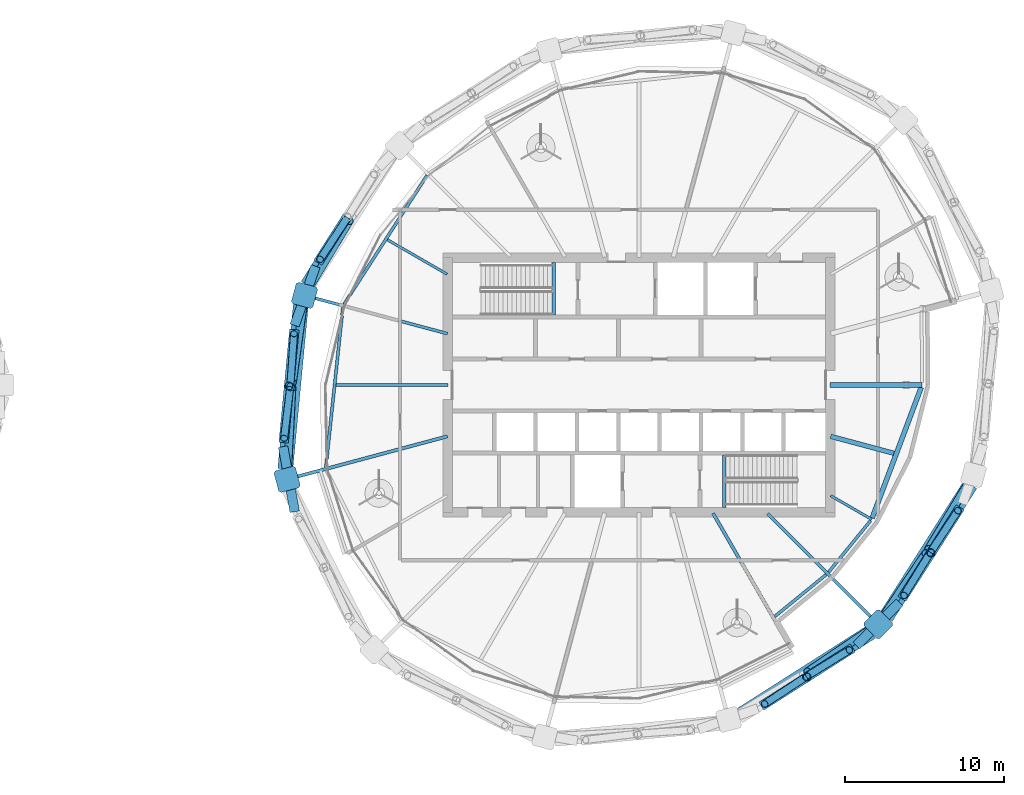
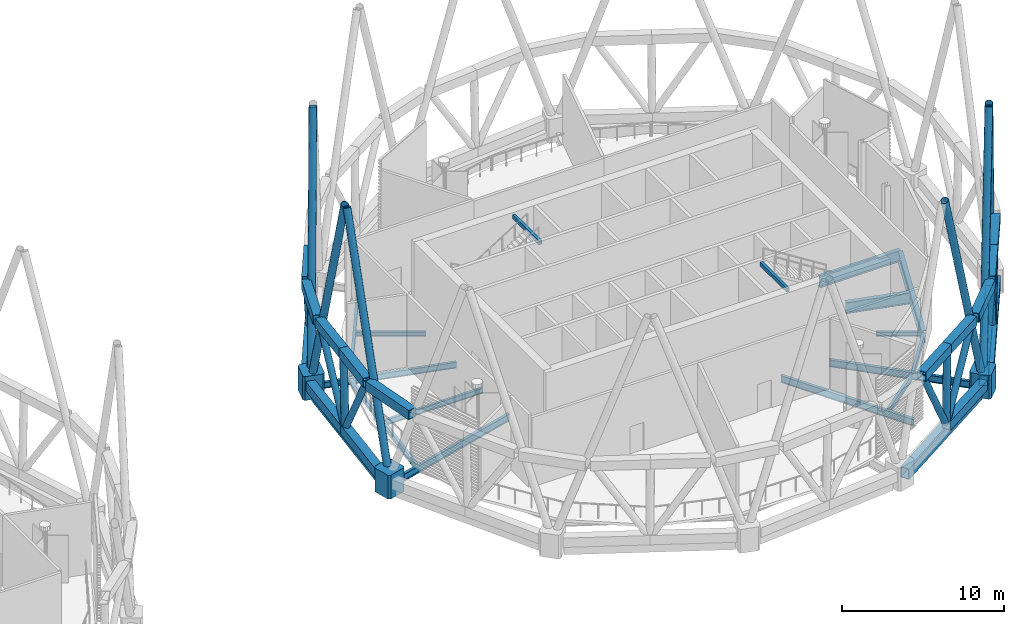
# One storey, part 7 of 22: 35 members, 19 beams.
"""IFC4 building model written with IfcOpenShell, lengths in metres."""

import ifcopenshell
import ifcopenshell.guid

model = None  # the IFC model being written
_history = None  # IfcOwnerHistory: only IFC2X3 demands one
_inside = {}  # id of a spatial element -> (the spatial element, [elements in it])
_under = {}  # id of a project, library or spatial element -> (it, [spatial elements below it])
_declared = {}  # id of a project -> (the project, [libraries it declares])
_typed = {}  # id of a type object -> (the type object, [elements of that type])
_made_of = {}  # id of a material, layer set ... -> (it, [elements and type objects made of it])


def new_model(schema):
    """Start an empty IFC model of exactly this schema.

    Asked for "IFC4X3", IfcOpenShell would pick the latest addendum, in which some entities
    have other attributes; the version numbers below select the first issue.
    IFC2X3 requires an IfcOwnerHistory on every rooted entity: one is made here for all.
    """
    global model, _history
    if schema == "IFC4X3":
        model = ifcopenshell.file(schema_version=(4, 3, 0, 0))
    else:
        model = ifcopenshell.file(schema=schema)
    _inside.clear()
    _under.clear()
    _declared.clear()
    _typed.clear()
    _made_of.clear()
    _history = None
    if model.schema == "IFC2X3":
        org = make("IfcOrganization", Name="unknown")
        user = make(
            "IfcPersonAndOrganization",
            ThePerson=make("IfcPerson", FamilyName="unknown"),
            TheOrganization=org,
        )
        app = make(
            "IfcApplication",
            ApplicationDeveloper=org,
            Version="unknown",
            ApplicationFullName="unknown",
            ApplicationIdentifier="unknown",
        )
        _history = make(
            "IfcOwnerHistory",
            OwningUser=user,
            OwningApplication=app,
            ChangeAction="ADDED",
            CreationDate=0,
        )
    return model


def make(cls, **values):
    """One entity of the class cls with the attributes given. An attribute that is None is left unset."""
    return model.create_entity(
        cls, **{name: value for name, value in values.items() if value is not None}
    )


def rooted(cls, **values):
    """An entity with a GlobalId (a new one), such as an element, a storey or a relation."""
    return make(cls, GlobalId=ifcopenshell.guid.new(), OwnerHistory=_history, **values)


def si_unit(unit_type, name, prefix=None):
    """IfcSIUnit, for example si_unit("LENGTHUNIT", "METRE", prefix="MILLI")."""
    return make("IfcSIUnit", UnitType=unit_type, Prefix=prefix, Name=name)


def assignment(units):
    """IfcUnitAssignment: the units of a project."""
    return None if units is None else make("IfcUnitAssignment", Units=units)


def point(xyz):
    """IfcCartesianPoint."""
    return None if xyz is None else make("IfcCartesianPoint", Coordinates=xyz)


def direction(xyz):
    """IfcDirection."""
    return None if xyz is None else make("IfcDirection", DirectionRatios=xyz)


def frame(location, z_axis=None, x_axis=None):
    """IfcAxis2Placement3D, a coordinate frame: its origin and axes. An axis left out is left unset."""
    return make(
        "IfcAxis2Placement3D",
        Location=point(location),
        Axis=direction(z_axis),
        RefDirection=direction(x_axis),
    )


def frame_2d(location, x_axis=None):
    """IfcAxis2Placement2D, a coordinate frame in the plane: its origin and x axis."""
    return make(
        "IfcAxis2Placement2D", Location=point(location), RefDirection=direction(x_axis)
    )


def origin():
    """The frame at (0, 0, 0) with its axes left unset."""
    return frame((0.0, 0.0, 0.0))


def origin_2d():
    """The frame at (0, 0) in the plane with its x axis left unset."""
    return frame_2d((0.0, 0.0))


def place(relative_to, where):
    """IfcLocalPlacement: puts the frame where relative to a parent placement (None: the world)."""
    return make(
        "IfcLocalPlacement", PlacementRelTo=relative_to, RelativePlacement=where
    )


def context(
    kind, dimensions, precision=None, world=None, true_north=None, identifier=None
):
    """IfcGeometricRepresentationContext, for example the 3D "Model" context."""
    return make(
        "IfcGeometricRepresentationContext",
        ContextIdentifier=identifier,
        ContextType=kind,
        CoordinateSpaceDimension=dimensions,
        Precision=precision,
        WorldCoordinateSystem=world,
        TrueNorth=true_north,
    )


def subcontext(parent, identifier, kind, view, scale=None):
    """IfcGeometricRepresentationSubContext, for example "Body" below "Model"."""
    return make(
        "IfcGeometricRepresentationSubContext",
        ContextIdentifier=identifier,
        ContextType=kind,
        ParentContext=parent,
        TargetScale=scale,
        TargetView=view,
    )


def project(units=None, contexts=None):
    """IfcProject with its units and contexts."""
    return rooted(
        "IfcProject",
        Name="project",
        RepresentationContexts=contexts,
        UnitsInContext=assignment(units),
    )


def spatial(cls, under=None, at=None, **own):
    """A site, building, storey or space (cls), placed at a placement, below another one or the project."""
    s = rooted(cls, ObjectPlacement=at, **own)
    if under is not None:
        _under.setdefault(under.id(), (under, []))[1].append(s)
    return s


def polyline(points):
    """IfcPolyline through the points."""
    return make("IfcPolyline", Points=[point(p) for p in points])


def profile(cls, at=None, kind="AREA", **sizes):
    """A parametric profile (cls). Its sizes go by their IFC names, for example OverallWidth=200.0."""
    return make(cls, ProfileType=kind, Position=at, **sizes)


def hollow_rectangle(**sizes):
    """IfcRectangleHollowProfileDef."""
    return profile("IfcRectangleHollowProfileDef", **sizes)


def hollow_circle(**sizes):
    """IfcCircleHollowProfileDef."""
    return profile("IfcCircleHollowProfileDef", **sizes)


def i_section(**sizes):
    """IfcIShapeProfileDef."""
    return profile("IfcIShapeProfileDef", **sizes)


def outline(outer, holes=None, kind="AREA"):
    """IfcArbitraryClosedProfileDef: a profile drawn as a closed curve; with holes, ...WithVoids."""
    if holes is None:
        return make("IfcArbitraryClosedProfileDef", ProfileType=kind, OuterCurve=outer)
    return make(
        "IfcArbitraryProfileDefWithVoids",
        ProfileType=kind,
        OuterCurve=outer,
        InnerCurves=holes,
    )


def extrude(swept, where, along, depth):
    """IfcExtrudedAreaSolid: the profile swept, set in the frame where, extruded along a direction by depth."""
    return make(
        "IfcExtrudedAreaSolid",
        SweptArea=swept,
        Position=where,
        ExtrudedDirection=direction(along),
        Depth=depth,
    )


def shape(context_of_items, identifier, shape_type, items):
    """IfcShapeRepresentation: the items that make up one representation, for example the "Body"."""
    return make(
        "IfcShapeRepresentation",
        ContextOfItems=context_of_items,
        RepresentationIdentifier=identifier,
        RepresentationType=shape_type,
        Items=items,
    )


def material(Name=None, Category=None):
    """IfcMaterial."""
    return make("IfcMaterial", Name=Name, Category=Category)


def material_profile(
    of_material, cross_section, Name=None, Category=None, Priority=None
):
    """IfcMaterialProfile: a cross section and its material."""
    return make(
        "IfcMaterialProfile",
        Name=Name,
        Material=of_material,
        Profile=cross_section,
        Priority=Priority,
        Category=Category,
    )


def profile_set(profiles, Name=None, composite=None):
    """IfcMaterialProfileSet."""
    return make(
        "IfcMaterialProfileSet",
        Name=Name,
        MaterialProfiles=profiles,
        CompositeProfile=composite,
    )


def made_of(thing, what):
    """Note that an element or type object is made of a material, layer set ...; save() writes the relation."""
    if what is not None:
        _made_of.setdefault(what.id(), (what, []))[1].append(thing)
    return thing


def type_object(cls, material=None, **own):
    """A type object (cls), such as IfcWallType, which elements share."""
    return made_of(rooted(cls, **own), material)


def element(
    cls,
    number,
    at=None,
    inside=None,
    cuts=None,
    type_object=None,
    material=None,
    context=None,
    identifier="Body",
    shape_type=None,
    held_by="IfcProductDefinitionShape",
    body=None,
    shapes=None,
    **own,
):
    """One element of the class cls, such as IfcWall. Its Tag is "e" and its number.

    at: its placement. inside: the storey or other place that contains it. cuts: it is an
    opening in that element (IfcRelVoidsElement). A single representation is given by context,
    identifier, shape_type and body (its items); several are given by shapes. held_by: the class
    of the entity that holds the representations. save() writes the other relations.
    """
    e = rooted(cls, Tag="e%d" % number, ObjectPlacement=at, **own)
    if body is not None:
        shapes = [shape(context, identifier, shape_type, body)]
    if shapes is not None:
        e.Representation = make(held_by, Representations=shapes)
    if inside is not None:
        _inside.setdefault(inside.id(), (inside, []))[1].append(e)
    if cuts is not None:
        rooted(
            "IfcRelVoidsElement", RelatingBuildingElement=cuts, RelatedOpeningElement=e
        )
    if type_object is not None:
        _typed.setdefault(type_object.id(), (type_object, []))[1].append(e)
    return made_of(e, material)


def aggregate(whole, parts):
    """IfcRelAggregates: a whole, such as a stair, and the parts it consists of."""
    return rooted("IfcRelAggregates", RelatingObject=whole, RelatedObjects=parts)


def save(model, path):
    """Write the relations noted so far, then the file.

    IfcRelAggregates (storeys below a building ...), IfcRelContainedInSpatialStructure (elements
    in a storey), IfcRelDefinesByType, IfcRelAssociatesMaterial and IfcRelDeclares: one each for
    every whole, place, type object, material and project.
    """
    for whole, parts in _under.values():
        aggregate(whole, parts)
    for where, things in _inside.values():
        rooted(
            "IfcRelContainedInSpatialStructure",
            RelatedElements=things,
            RelatingStructure=where,
        )
    for kind, things in _typed.values():
        rooted("IfcRelDefinesByType", RelatedObjects=things, RelatingType=kind)
    for what, things in _made_of.values():
        rooted("IfcRelAssociatesMaterial", RelatedObjects=things, RelatingMaterial=what)
    for by, libraries in _declared.values():
        rooted("IfcRelDeclares", RelatingContext=by, RelatedDefinitions=libraries)
    model.write(path)


model = new_model("IFC4")

# Units and contexts
model_context = context("Model", 3, precision=1e-05, world=origin(), true_north=direction((0.0, 1.0)))
body_context = subcontext(model_context, "Body", "Model", "MODEL_VIEW")
ifc_project = project(units=[si_unit("LENGTHUNIT", "METRE"), si_unit("AREAUNIT", "SQUARE_METRE"), si_unit("VOLUMEUNIT", "CUBIC_METRE"), si_unit("PLANEANGLEUNIT", "RADIAN"), si_unit("MASSUNIT", "GRAM", prefix="KILO")], contexts=[model_context])

# Site, building, storey
site_placement = place(None, origin())
site = spatial("IfcSite", under=ifc_project, at=site_placement, CompositionType="ELEMENT")
building_placement = place(site_placement, origin())
building = spatial("IfcBuilding", under=site, at=building_placement, Name="Rimbun Link Towers", CompositionType="ELEMENT")
storey_placement = place(building_placement, frame((0.0, 0.0, 204.5)))
storey = spatial("IfcBuildingStorey", under=building, at=storey_placement, Name="L50", CompositionType="ELEMENT", Elevation=204.5)

# Members
ifc_material_1 = material(Name="Steel S460N", Category="steel")
ifc_material_profile_1 = material_profile(ifc_material_1, hollow_rectangle(XDim=0.60009765625, YDim=0.699951171875, WallThickness=0.034912109375, at=origin_2d()), Name="Belt truss chord BOX 600x700x35")
ifc_profile_set_1 = profile_set([ifc_material_profile_1], Name="Steel S460N")
member_type_1 = type_object("IfcMemberType", Name="Belt truss chord BOX 600x700x35", PredefinedType="CHORD", material=ifc_profile_set_1)
member_1_placement = place(storey_placement, frame((11.438720703125, 7.46142578125, 6.0), z_axis=(-0.332988338346, -0.942930944728, 0.0), x_axis=(0.942930944728, -0.332988338346, 0.0)))
element("IfcMember", 1, at=member_1_placement, inside=storey, type_object=member_type_1, Name="Belt truss chord T2 L50 top 04", PredefinedType="CHORD", context=body_context, shape_type="SweptSolid", body=[
    extrude(hollow_rectangle(XDim=0.60009765625, YDim=0.699951171875, WallThickness=0.034912109375, at=origin_2d()), origin(), (0.0, 0.0, 1.0), 3.947509765625),
])
member_2_placement = place(storey_placement, frame((9.402587890625, -3.868408203125, 6.0), z_axis=(0.174925672381, -0.984581641685, 0.0), x_axis=(0.984581641685, 0.174925672381, 0.0)))
element("IfcMember", 2, at=member_2_placement, inside=storey, type_object=member_type_1, Name="Belt truss chord T2 L50 top 05", PredefinedType="CHORD", context=body_context, shape_type="SweptSolid", body=[
    extrude(hollow_rectangle(XDim=0.60009765625, YDim=0.699951171875, WallThickness=0.034912109375, at=origin_2d()), origin(), (0.0, 0.0, 1.0), 4.152099609375),
])
member_3_placement = place(storey_placement, frame((45.400634765625, -16.37060546875, 6.0), z_axis=(0.707106781187, 0.707106781187, 0.0), x_axis=(-0.707106781187, 0.707106781187, 0.0)))
element("IfcMember", 3, at=member_3_placement, inside=storey, type_object=member_type_1, Name="Belt truss chord T2 L50 top 09", PredefinedType="CHORD", context=body_context, shape_type="SweptSolid", body=[
    extrude(hollow_rectangle(XDim=0.60009765625, YDim=0.699951171875, WallThickness=0.034912109375, at=origin_2d()), origin(), (0.0, 0.0, 1.0), 3.8466796875),
])
member_4_placement = place(storey_placement, frame((13.443115234375, 10.51220703125, 0.18994140625), z_axis=(-0.537127943708, -0.843500783691, 0.0), x_axis=(0.843500783691, -0.537127943708, 0.0)))
element("IfcMember", 4, at=member_4_placement, inside=storey, type_object=member_type_1, Name="Belt truss chord T2 L50 bottom 07", PredefinedType="CHORD", context=body_context, shape_type="SweptSolid", body=[
    extrude(hollow_rectangle(XDim=0.60009765625, YDim=0.699951171875, WallThickness=0.034912109375, at=origin_2d()), origin(), (0.0, 0.0, 1.0), 4.943115234375),
])
member_5_placement = place(storey_placement, frame((13.41357421875, 10.55517578125, 6.0), z_axis=(-0.537111989586, -0.843510942812, 0.0), x_axis=(0.843510942812, -0.537111989586, 0.0)))
element("IfcMember", 5, at=member_5_placement, inside=storey, type_object=member_type_1, Name="Belt truss chord T2 L50 top 19", PredefinedType="CHORD", context=body_context, shape_type="SweptSolid", body=[
    extrude(hollow_rectangle(XDim=0.60009765625, YDim=0.699951171875, WallThickness=0.034912109375, at=origin_2d()), origin(), (0.0, 0.0, 1.0), 3.40625),
])
member_6_placement = place(storey_placement, frame((10.340087890625, 5.038330078125, 0.18994140625), z_axis=(-0.094308149254, -0.99554305431, 0.0), x_axis=(0.99554305431, -0.094308149254, 0.0)))
element("IfcMember", 6, at=member_6_placement, inside=storey, type_object=member_type_1, Name="Belt truss chord T2 L50 bottom 08", PredefinedType="CHORD", context=body_context, shape_type="SweptSolid", body=[
    extrude(hollow_rectangle(XDim=0.60009765625, YDim=0.699951171875, WallThickness=0.034912109375, at=origin_2d()), origin(), (0.0, 0.0, 1.0), 5.1748046875),
])
member_7_placement = place(storey_placement, frame((9.85205078125, -0.113525390625, 0.18994140625), z_axis=(-0.094303720053, -0.99554347388, 0.0), x_axis=(0.99554347388, -0.094303720053, 0.0)))
element("IfcMember", 7, at=member_7_placement, inside=storey, type_object=member_type_1, Name="Belt truss chord T2 L50 bottom 09", PredefinedType="CHORD", context=body_context, shape_type="SweptSolid", body=[
    extrude(hollow_rectangle(XDim=0.60009765625, YDim=0.699951171875, WallThickness=0.034912109375, at=origin_2d()), origin(), (0.0, 0.0, 1.0), 5.175048828125),
])
member_8_placement = place(storey_placement, frame((10.106201171875, 3.484375, 6.0), z_axis=(-0.094346713986, -0.995539400305, 0.0), x_axis=(0.995539400305, -0.094346713986, 0.0)))
element("IfcMember", 8, at=member_8_placement, inside=storey, type_object=member_type_1, Name="Belt truss chord T2 L50 top 20", PredefinedType="CHORD", context=body_context, shape_type="SweptSolid", body=[
    extrude(hollow_rectangle(XDim=0.60009765625, YDim=0.699951171875, WallThickness=0.034912109375, at=origin_2d()), origin(), (0.0, 0.0, 1.0), 3.563232421875),
])
member_9_placement = place(storey_placement, frame((9.77001953125, -0.06298828125, 6.0), z_axis=(-0.094286748494, -0.995545081379, 0.0), x_axis=(0.995545081379, -0.094286748494, 0.0)))
element("IfcMember", 9, at=member_9_placement, inside=storey, type_object=member_type_1, Name="Belt truss chord T2 L50 top 21", PredefinedType="CHORD", context=body_context, shape_type="SweptSolid", body=[
    extrude(hollow_rectangle(XDim=0.60009765625, YDim=0.699951171875, WallThickness=0.034912109375, at=origin_2d()), origin(), (0.0, 0.0, 1.0), 3.5732421875),
])
member_10_placement = place(storey_placement, frame((42.26220703125, -18.306884765625, 0.18994140625), z_axis=(0.843500783691, 0.537127943708, 0.0), x_axis=(-0.537127943708, 0.843500783691, 0.0)))
element("IfcMember", 10, at=member_10_placement, inside=storey, type_object=member_type_1, Name="Belt truss chord T2 L50 bottom 17", PredefinedType="CHORD", context=body_context, shape_type="SweptSolid", body=[
    extrude(hollow_rectangle(XDim=0.60009765625, YDim=0.699951171875, WallThickness=0.034912109375, at=origin_2d()), origin(), (0.0, 0.0, 1.0), 4.943115234375),
])
member_11_placement = place(storey_placement, frame((39.431884765625, -20.166015625, 6.0), z_axis=(0.843510942812, 0.537111989586, 0.0), x_axis=(-0.537111989586, 0.843510942812, 0.0)))
element("IfcMember", 11, at=member_11_placement, inside=storey, type_object=member_type_1, Name="Belt truss chord T2 L50 top 28", PredefinedType="CHORD", context=body_context, shape_type="SweptSolid", body=[
    extrude(hollow_rectangle(XDim=0.60009765625, YDim=0.699951171875, WallThickness=0.034912109375, at=origin_2d()), origin(), (0.0, 0.0, 1.0), 3.40625),
])
member_12_placement = place(storey_placement, frame((42.30517578125, -18.33642578125, 6.0), z_axis=(0.84351663753, 0.537103046174, 0.0), x_axis=(-0.537103046174, 0.84351663753, 0.0)))
element("IfcMember", 12, at=member_12_placement, inside=storey, type_object=member_type_1, Name="Belt truss chord T2 L50 top 29", PredefinedType="CHORD", context=body_context, shape_type="SweptSolid", body=[
    extrude(hollow_rectangle(XDim=0.60009765625, YDim=0.699951171875, WallThickness=0.034912109375, at=origin_2d()), origin(), (0.0, 0.0, 1.0), 3.4013671875),
])
for number, where, z_axis, x_axis, name in (
    (13, (47.40185546875, -14.681640625, 0.18994140625), (0.537127943708, 0.843500783691, 0.0), (-0.843500783691, 0.537127943708, 0.0), "Belt truss chord T2 L50 bottom 18"),
    (14, (50.056884765625, -10.51220703125, 0.18994140625), (0.537127943708, 0.843500783691, 0.0), (-0.843500783691, 0.537127943708, 0.0), "Belt truss chord T2 L50 bottom 19"),
):
    element("IfcMember", number, at=place(storey_placement, frame(where, z_axis=z_axis, x_axis=x_axis)), inside=storey, type_object=member_type_1, Name=name, PredefinedType="CHORD", context=body_context, shape_type="SweptSolid", body=[
        extrude(hollow_rectangle(XDim=0.60009765625, YDim=0.699951171875, WallThickness=0.034912109375, at=origin_2d()), origin(), (0.0, 0.0, 1.0), 4.943115234375),
    ])
member_13_placement = place(storey_placement, frame((48.259521484375, -13.42431640625, 6.0), z_axis=(0.537103046174, 0.84351663753, 0.0), x_axis=(-0.84351663753, 0.537103046174, 0.0)))
element("IfcMember", 15, at=member_13_placement, inside=storey, type_object=member_type_1, Name="Belt truss chord T2 L50 top 30", PredefinedType="CHORD", context=body_context, shape_type="SweptSolid", body=[
    extrude(hollow_rectangle(XDim=0.60009765625, YDim=0.699951171875, WallThickness=0.034912109375, at=origin_2d()), origin(), (0.0, 0.0, 1.0), 3.4013671875),
])
member_14_placement = place(storey_placement, frame((50.08642578125, -10.55517578125, 6.0), z_axis=(0.537111989586, 0.843510942812, 0.0), x_axis=(-0.843510942812, 0.537111989586, 0.0)))
element("IfcMember", 16, at=member_14_placement, inside=storey, type_object=member_type_1, Name="Belt truss chord T2 L50 top 31", PredefinedType="CHORD", context=body_context, shape_type="SweptSolid", body=[
    extrude(hollow_rectangle(XDim=0.60009765625, YDim=0.699951171875, WallThickness=0.034912109375, at=origin_2d()), origin(), (0.0, 0.0, 1.0), 3.40625),
])
ifc_material_2 = material(Name="Steel S355J2H", Category="steel")
ifc_material_profile_2 = material_profile(ifc_material_2, hollow_circle(Radius=0.228515625, WallThickness=0.01611328125, at=origin_2d()), Name="Belt truss diagonal CHS 457x16")
ifc_profile_set_2 = profile_set([ifc_material_profile_2], Name="Steel S355J2H")
member_type_2 = type_object("IfcMemberType", Name="Belt truss diagonal CHS 457x16", PredefinedType="BRACE", material=ifc_profile_set_2)
member_15_placement = place(storey_placement, frame((13.347900390625, 10.36767578125, 0.494140625), z_axis=(-0.271676410317, -0.413307115516, 0.869119759493), x_axis=(0.835636258049, -0.549283209495, 0.0)))
element("IfcMember", 17, at=member_15_placement, inside=storey, type_object=member_type_2, Name="Belt truss diagonal T2 L50 07", PredefinedType="BRACE", context=body_context, shape_type="SweptSolid", body=[
    extrude(hollow_circle(Radius=0.228515625, WallThickness=0.01611328125, at=origin_2d()), origin(), (0.0, 0.0, 1.0), 5.98486328125),
])
member_16_placement = place(storey_placement, frame((9.86474609375, 0.0673828125, 0.4892578125), z_axis=(0.03621551324, 0.517112660292, 0.855150824806), x_axis=(-0.997556597887, 0.069862965951, 0.0)))
element("IfcMember", 18, at=member_16_placement, inside=storey, type_object=member_type_2, Name="Belt truss diagonal T2 L50 08", PredefinedType="BRACE", context=body_context, shape_type="SweptSolid", body=[
    extrude(hollow_circle(Radius=0.228515625, WallThickness=0.01611328125, at=origin_2d()), origin(), (0.0, 0.0, 1.0), 6.09423828125),
])
member_17_placement = place(storey_placement, frame((9.830810546875, -0.29052734375, 0.4912109375), z_axis=(-0.06076916456, -0.505481623134, 0.860694741074), x_axis=(0.992850937823, -0.119360861528, 0.0)))
element("IfcMember", 19, at=member_17_placement, inside=storey, type_object=member_type_2, Name="Belt truss diagonal T2 L50 09", PredefinedType="BRACE", context=body_context, shape_type="SweptSolid", body=[
    extrude(hollow_circle(Radius=0.228515625, WallThickness=0.01611328125, at=origin_2d()), origin(), (0.0, 0.0, 1.0), 6.05029296875),
])
member_18_placement = place(storey_placement, frame((42.11767578125, -18.402099609375, 0.494140625), z_axis=(-0.413307115516, -0.271676410317, 0.869119759493), x_axis=(0.549283209495, -0.835636258049, 0.0)))
element("IfcMember", 20, at=member_18_placement, inside=storey, type_object=member_type_2, Name="Belt truss diagonal T2 L50 16", PredefinedType="BRACE", context=body_context, shape_type="SweptSolid", body=[
    extrude(hollow_circle(Radius=0.228515625, WallThickness=0.01611328125, at=origin_2d()), origin(), (0.0, 0.0, 1.0), 5.98486328125),
])
for number, where, z_axis, x_axis, name in (
    (21, (42.410888671875, -18.215087890625, 0.493408203125), (0.424858360267, 0.262029869083, 0.866507773433), (-0.524937876314, 0.851140544218, 0.0), "Belt truss diagonal T2 L50 17"),
    (22, (49.965087890625, -10.660888671875, 0.493408203125), (-0.262029869083, -0.424858360267, 0.866507773433), (0.851140544218, -0.524937876314, 0.0), "Belt truss diagonal T2 L50 18"),
):
    element("IfcMember", number, at=place(storey_placement, frame(where, z_axis=z_axis, x_axis=x_axis)), inside=storey, type_object=member_type_2, Name=name, PredefinedType="BRACE", context=body_context, shape_type="SweptSolid", body=[
        extrude(hollow_circle(Radius=0.228515625, WallThickness=0.01611328125, at=origin_2d()), origin(), (0.0, 0.0, 1.0), 6.0048828125),
    ])
member_19_placement = place(storey_placement, frame((50.152099609375, -10.36767578125, 0.494140625), z_axis=(0.271676410317, 0.413307115516, 0.869119759493), x_axis=(-0.835636258049, 0.549283209495, 0.0)))
element("IfcMember", 23, at=member_19_placement, inside=storey, type_object=member_type_2, Name="Belt truss diagonal T2 L50 19", PredefinedType="BRACE", context=body_context, shape_type="SweptSolid", body=[
    extrude(hollow_circle(Radius=0.228515625, WallThickness=0.01611328125, at=origin_2d()), origin(), (0.0, 0.0, 1.0), 5.98486328125),
])
ifc_material_3 = material(Name="Steel S355J2H", Category="steel")
ifc_material_profile_3 = material_profile(ifc_material_3, hollow_circle(Radius=0.25390625, WallThickness=0.02001953125, at=origin_2d()), Name="Belt truss strut CHS 508x20")
ifc_profile_set_3 = profile_set([ifc_material_profile_3], Name="Steel S355J2H")
member_type_3 = type_object("IfcMemberType", Name="Belt truss strut CHS 508x20", PredefinedType="STRUT", material=ifc_profile_set_3)
member_20_placement = place(storey_placement, frame((9.85205078125, -0.113525390625, 0.5400390625), z_axis=(-0.016050658718, 0.009888352246, 0.999822282631), x_axis=(-0.524521493248, -0.851397206432, 0.0)))
element("IfcMember", 24, at=member_20_placement, inside=storey, type_object=member_type_3, Name="Belt truss strut T2 L50 04", PredefinedType="STRUT", context=body_context, shape_type="SweptSolid", body=[
    extrude(hollow_circle(Radius=0.25390625, WallThickness=0.02001953125, at=origin_2d()), origin(), (0.0, 0.0, 1.0), 5.11083984375),
])
for number, where, z_axis, x_axis, name in (
    (25, (42.26220703125, -18.306884765625, 0.5400390625), (0.00840854453, -0.005780874364, 0.99994793758), (0.566528822887, 0.824041924199, 0.0), "Belt truss strut T2 L50 08"),
    (26, (50.056884765625, -10.51220703125, 0.5400390625), (0.005780874364, -0.00840854453, 0.99994793758), (0.824041924199, 0.566528822887, 0.0), "Belt truss strut T2 L50 09"),
):
    element("IfcMember", number, at=place(storey_placement, frame(where, z_axis=z_axis, x_axis=x_axis)), inside=storey, type_object=member_type_3, Name=name, PredefinedType="STRUT", context=body_context, shape_type="SweptSolid", body=[
        extrude(hollow_circle(Radius=0.25390625, WallThickness=0.02001953125, at=origin_2d()), origin(), (0.0, 0.0, 1.0), 5.110107421875),
    ])
ifc_material_4 = material(Name="Steel S355J2H", Category="steel")
ifc_material_profile_4 = material_profile(ifc_material_4, hollow_circle(Radius=0.25390625, WallThickness=0.02001953125, at=origin_2d()), Name="Diagrid diagonal CHS 508x20")
ifc_profile_set_4 = profile_set([ifc_material_profile_4], Name="Steel S355J2H")
member_type_4 = type_object("IfcMemberType", Name="Diagrid diagonal CHS 508x20", PredefinedType="BRACE", material=ifc_profile_set_4)
member_21_placement = place(storey_placement, frame((10.826904296875, 5.759521484375, 0.4755859375), z_axis=(0.158844861587, 0.263616379023, 0.951459255385), x_axis=(-0.856523788517, 0.516107546646, 0.0)))
element("IfcMember", 27, at=member_21_placement, inside=storey, type_object=member_type_4, Name="Diagrid diagonal T2 L50-L54 08a", PredefinedType="BRACE", context=body_context, shape_type="SweptSolid", body=[
    extrude(hollow_circle(Radius=0.25390625, WallThickness=0.02001953125, at=origin_2d()), origin(), (0.0, 0.0, 1.0), 17.287841796875),
])
member_22_placement = place(storey_placement, frame((10.726318359375, 5.473876953125, 0.475341796875), z_axis=(-0.042890350915, -0.307441985786, 0.950599728158), x_axis=(0.990408656407, -0.138169075099, 0.0)))
element("IfcMember", 28, at=member_22_placement, inside=storey, type_object=member_type_4, Name="Diagrid diagonal T2 L50-L54 08b", PredefinedType="BRACE", context=body_context, shape_type="SweptSolid", body=[
    extrude(hollow_circle(Radius=0.25390625, WallThickness=0.02001953125, at=origin_2d()), origin(), (0.0, 0.0, 1.0), 17.30419921875),
])
member_23_placement = place(storey_placement, frame((9.661865234375, -5.759765625, 0.473388671875), z_axis=(0.016826283915, 0.322101142758, 0.946555719439), x_axis=(-0.998638322881, 0.052167998553, 0.0)))
element("IfcMember", 29, at=member_23_placement, inside=storey, type_object=member_type_4, Name="Diagrid diagonal T2 L50-L54 10a", PredefinedType="BRACE", context=body_context, shape_type="SweptSolid", body=[
    extrude(hollow_circle(Radius=0.25390625, WallThickness=0.02001953125, at=origin_2d()), origin(), (0.0, 0.0, 1.0), 17.38232421875),
])
for number, where, z_axis, x_axis, name in (
    (30, (46.6455078125, -15.105224609375, 0.476806640625), (-0.250499323782, -0.168560953933, 0.95332958288), (0.55827525096, -0.829655798609, 0.0), "Diagrid diagonal T2 L50-L54 18a"),
    (31, (46.855224609375, -14.8955078125, 0.476806640625), (0.168560953933, 0.250499323782, 0.95332958288), (-0.829655798609, 0.55827525096, 0.0), "Diagrid diagonal T2 L50-L54 18b"),
):
    element("IfcMember", number, at=place(storey_placement, frame(where, z_axis=z_axis, x_axis=x_axis)), inside=storey, type_object=member_type_4, Name=name, PredefinedType="BRACE", context=body_context, shape_type="SweptSolid", body=[
        extrude(hollow_circle(Radius=0.25390625, WallThickness=0.02001953125, at=origin_2d()), origin(), (0.0, 0.0, 1.0), 17.251708984375),
    ])
member_24_placement = place(storey_placement, frame((52.673095703125, -5.759521484375, 0.4755859375), z_axis=(-0.158844861587, -0.263616379023, 0.951459255385), x_axis=(0.856523788517, -0.516107546646, 0.0)))
element("IfcMember", 32, at=member_24_placement, inside=storey, type_object=member_type_4, Name="Diagrid diagonal T2 L50-L54 20a", PredefinedType="BRACE", context=body_context, shape_type="SweptSolid", body=[
    extrude(hollow_circle(Radius=0.25390625, WallThickness=0.02001953125, at=origin_2d()), origin(), (0.0, 0.0, 1.0), 17.287841796875),
])
ifc_material_5 = material(Name="Cast steel G20Mn5+QT, Rp0.2 300 MPa", Category="steel")
ifc_material_profile_5 = material_profile(ifc_material_5, outline(polyline([(0.699951171875, -0.570068359375), (0.699951171875, 0.570068359375), (0.570068359375, 0.699951171875), (-0.570068359375, 0.699951171875), (-0.699951171875, 0.570068359375), (-0.699951171875, -0.570068359375), (-0.570068359375, -0.699951171875), (0.570068359375, -0.699951171875), (0.699951171875, -0.570068359375)])), Name="NODE 1400x1400")
ifc_profile_set_5 = profile_set([ifc_material_profile_5], Name="Cast steel G20Mn5+QT, Rp0.2 300 MPa")
member_type_5 = type_object("IfcMemberType", Name="Diagrid node cast 1400", PredefinedType="USERDEFINED", material=ifc_profile_set_5)
for number, where, z_axis, x_axis, name in (
    (33, (10.74755859375, 5.627685546875, -0.89990234375), (0.0, 0.0, 1.0), (-0.965925826289, 0.258819045103, 0.0), "Diagrid node L50 08"),
    (34, (9.6533203125, -5.9208984375, -0.89990234375), (0.0, 0.0, 1.0), (-0.965925826289, -0.258819045103, 0.0), "Diagrid node L50 10"),
    (35, (46.77099609375, -15.02099609375, -0.89990234375), (0.0, 0.0, 1.0), (0.707106781187, -0.707106781187, 0.0), "Diagrid node L50 18"),
):
    element("IfcMember", number, at=place(storey_placement, frame(where, z_axis=z_axis, x_axis=x_axis)), inside=storey, type_object=member_type_5, Name=name, ObjectType="Diagrid node", PredefinedType="USERDEFINED", context=body_context, shape_type="SweptSolid", body=[
        extrude(outline(polyline([(0.699951171875, -0.570068359375), (0.699951171875, 0.570068359375), (0.570068359375, 0.699951171875), (-0.570068359375, 0.699951171875), (-0.699951171875, 0.570068359375), (-0.699951171875, -0.570068359375), (-0.570068359375, -0.699951171875), (0.570068359375, -0.699951171875), (0.699951171875, -0.570068359375)])), origin(), (0.0, 0.0, 1.0), 1.7998046875),
    ])

# Beams
ifc_material_6 = material(Name="Steel S355J2", Category="steel")
ifc_material_profile_6 = material_profile(ifc_material_6, hollow_rectangle(XDim=0.60009765625, YDim=0.800048828125, WallThickness=0.0400390625, at=origin_2d()), Name="Exoskeleton ring girder BOX 600x800x40")
ifc_profile_set_6 = profile_set([ifc_material_profile_6], Name="Steel S355J2")
beam_type_1 = type_object("IfcBeamType", Name="Exoskeleton ring girder BOX 600x800x40", PredefinedType="BEAM", material=ifc_profile_set_6)
beam_1_placement = place(storey_placement, frame((10.681640625, 4.9306640625, -0.56005859375), z_axis=(-0.094329030856, -0.995541075967, 0.0), x_axis=(0.995541075967, -0.094329030856, 0.0)))
element("IfcBeam", 36, at=beam_1_placement, inside=storey, type_object=beam_type_1, Name="Exoskeleton ring girder L50 04", PredefinedType="BEAM", context=body_context, shape_type="SweptSolid", body=[
    extrude(hollow_rectangle(XDim=0.60009765625, YDim=0.800048828125, WallThickness=0.0400390625, at=origin_2d()), origin(), (0.0, 0.0, 1.0), 10.199951171875),
])
for number, where, z_axis, x_axis, name in (
    (37, (37.968017578125, -20.62646484375, -0.56005859375), (0.84350244015, 0.537125342411, 0.0), (-0.537125342411, 0.84350244015, 0.0), "Exoskeleton ring girder L50 08"),
    (38, (47.14697265625, -14.430419921875, -0.56005859375), (0.537125342411, 0.84350244015, 0.0), (-0.84350244015, 0.537125342411, 0.0), "Exoskeleton ring girder L50 09"),
):
    element("IfcBeam", number, at=place(storey_placement, frame(where, z_axis=z_axis, x_axis=x_axis)), inside=storey, type_object=beam_type_1, Name=name, PredefinedType="BEAM", context=body_context, shape_type="SweptSolid", body=[
        extrude(hollow_rectangle(XDim=0.60009765625, YDim=0.800048828125, WallThickness=0.0400390625, at=origin_2d()), origin(), (0.0, 0.0, 1.0), 9.736083984375),
    ])
ifc_material_7 = material(Name="Steel S355J2", Category="steel")
ifc_material_profile_7 = material_profile(ifc_material_7, hollow_rectangle(XDim=0.199951171875, YDim=0.300048828125, WallThickness=0.011962890625, at=origin_2d()), Name="BOX 300x200x12")
ifc_profile_set_7 = profile_set([ifc_material_profile_7], Name="Steel S355J2")
beam_type_2 = type_object("IfcBeamType", Name="Stair trimmer beam BOX 300x200x12", PredefinedType="BEAM", material=ifc_profile_set_7)
for number, where, z_axis, x_axis, name in (
    (39, (26.39990234375, 7.699951171875, 5.7099609375), (0.0, -1.0, 0.0), (1.0, 0.0, 0.0), "L50 ST3 stair beam 1"),
    (40, (37.10009765625, -7.699951171875, 5.7099609375), (0.0, 1.0, 0.0), (-1.0, 0.0, 0.0), "L50 ST4 stair beam 1"),
):
    element("IfcBeam", number, at=place(storey_placement, frame(where, z_axis=z_axis, x_axis=x_axis)), inside=storey, type_object=beam_type_2, Name=name, PredefinedType="BEAM", context=body_context, shape_type="SweptSolid", body=[
        extrude(hollow_rectangle(XDim=0.199951171875, YDim=0.300048828125, WallThickness=0.011962890625, at=origin_2d()), origin(), (0.0, 0.0, 1.0), 3.300048828125),
    ])
ifc_material_8 = material(Name="Steel S355J2", Category="steel")
ifc_material_profile_8 = material_profile(ifc_material_8, i_section(OverallWidth=0.1650390625, OverallDepth=0.303466796875, WebThickness=0.006103515625, FlangeThickness=0.01025390625, at=origin_2d()), Name="UB 305x165x40")
ifc_profile_set_8 = profile_set([ifc_material_profile_8], Name="Steel S355J2")
beam_type_3 = type_object("IfcBeamType", Name="UB 305x165x40", PredefinedType="BEAM", material=ifc_profile_set_8)
beam_2_placement = place(storey_placement, frame((19.7080078125, 6.952392578125, -0.351806640625), z_axis=(-0.866035653305, 0.499982246889, 0.0), x_axis=(-0.499982246889, -0.866035653305, 0.0)))
element("IfcBeam", 41, at=beam_2_placement, inside=storey, type_object=beam_type_3, Name="Radial beam T2 L50 07", PredefinedType="BEAM", context=body_context, shape_type="SweptSolid", body=[
    extrude(i_section(OverallWidth=0.1650390625, OverallDepth=0.303466796875, WebThickness=0.006103515625, FlangeThickness=0.01025390625, at=origin_2d()), origin(), (0.0, 0.0, 1.0), 4.338623046875),
])
beam_3_placement = place(storey_placement, frame((43.7919921875, -6.952392578125, -0.351806640625), z_axis=(0.866025146382, -0.500000445834, 0.0), x_axis=(0.500000445834, 0.866025146382, 0.0)))
element("IfcBeam", 42, at=beam_3_placement, inside=storey, type_object=beam_type_3, Name="Radial beam T2 L50 19", PredefinedType="BEAM", context=body_context, shape_type="SweptSolid", body=[
    extrude(i_section(OverallWidth=0.1650390625, OverallDepth=0.303466796875, WebThickness=0.006103515625, FlangeThickness=0.01025390625, at=origin_2d()), origin(), (0.0, 0.0, 1.0), 2.96484375),
])
ifc_material_9 = material(Name="Steel S355J2", Category="steel")
ifc_material_profile_9 = material_profile(ifc_material_9, i_section(OverallWidth=0.177978515625, OverallDepth=0.406494140625, WebThickness=0.0078125, FlangeThickness=0.0126953125, at=origin_2d()), Name="UB 406x178x60")
ifc_profile_set_9 = profile_set([ifc_material_profile_9], Name="Steel S355J2")
beam_type_4 = type_object("IfcBeamType", Name="UB 406x178x60", PredefinedType="BEAM", material=ifc_profile_set_9)
beam_4_placement = place(storey_placement, frame((19.7490234375, 0.0, -0.4033203125), z_axis=(-1.0, 0.0, 0.0), x_axis=(0.0, -1.0, 0.0)))
element("IfcBeam", 43, at=beam_4_placement, inside=storey, type_object=beam_type_4, Name="Radial beam T2 L50 09", PredefinedType="BEAM", context=body_context, shape_type="SweptSolid", body=[
    extrude(i_section(OverallWidth=0.177978515625, OverallDepth=0.406494140625, WebThickness=0.0078125, FlangeThickness=0.0126953125, at=origin_2d()), origin(), (0.0, 0.0, 1.0), 7.015625),
])
ifc_material_10 = material(Name="Steel S355J2", Category="steel")
ifc_material_profile_10 = material_profile(ifc_material_10, i_section(OverallWidth=0.18994140625, OverallDepth=0.453369140625, WebThickness=0.008544921875, FlangeThickness=0.0126953125, at=origin_2d()), Name="UB 457x191x67")
ifc_profile_set_10 = profile_set([ifc_material_profile_10], Name="Steel S355J2")
beam_type_5 = type_object("IfcBeamType", Name="UB 457x191x67", PredefinedType="BEAM", material=ifc_profile_set_10)
beam_5_placement = place(storey_placement, frame((19.724609375, 3.222412109375, -0.4267578125), z_axis=(-0.965927355733, 0.258813337074, 0.0), x_axis=(-0.258813337074, -0.965927355733, 0.0)))
element("IfcBeam", 44, at=beam_5_placement, inside=storey, type_object=beam_type_5, Name="Radial beam T2 L50 08", PredefinedType="BEAM", context=body_context, shape_type="SweptSolid", body=[
    extrude(i_section(OverallWidth=0.18994140625, OverallDepth=0.453369140625, WebThickness=0.008544921875, FlangeThickness=0.0126953125, at=origin_2d()), origin(), (0.0, 0.0, 1.0), 8.79345703125),
])
beam_6_placement = place(storey_placement, frame((18.439208984375, 13.161376953125, -0.4267578125), z_axis=(-0.541612987388, -0.840627962831, 0.0), x_axis=(0.840627962831, -0.541612987388, 0.0)))
element("IfcBeam", 45, at=beam_6_placement, inside=storey, type_object=beam_type_5, Name="Edge beam T2 L50 06-08", PredefinedType="BEAM", context=body_context, shape_type="SweptSolid", body=[
    extrude(i_section(OverallWidth=0.18994140625, OverallDepth=0.453369140625, WebThickness=0.008544921875, FlangeThickness=0.0126953125, at=origin_2d()), origin(), (0.0, 0.0, 1.0), 9.6328125),
])
beam_7_placement = place(storey_placement, frame((13.1572265625, 4.882568359375, -0.4267578125), z_axis=(-0.105938131153, -0.994372723061, 0.0), x_axis=(0.994372723061, -0.105938131153, 0.0)))
element("IfcBeam", 46, at=beam_7_placement, inside=storey, type_object=beam_type_5, Name="Edge beam T2 L50 08-10", PredefinedType="BEAM", context=body_context, shape_type="SweptSolid", body=[
    extrude(i_section(OverallWidth=0.18994140625, OverallDepth=0.453369140625, WebThickness=0.008544921875, FlangeThickness=0.0126953125, at=origin_2d()), origin(), (0.0, 0.0, 1.0), 10.0986328125),
])
beam_8_placement = place(storey_placement, frame((40.27978515625, -14.532470703125, -0.4267578125), z_axis=(0.775346985696, 0.631535471508, 0.0), x_axis=(-0.631535471508, 0.775346985696, 0.0)))
element("IfcBeam", 47, at=beam_8_placement, inside=storey, type_object=beam_type_5, Name="Edge beam T2 L50 17 recess", PredefinedType="BEAM", context=body_context, shape_type="SweptSolid", body=[
    extrude(i_section(OverallWidth=0.18994140625, OverallDepth=0.453369140625, WebThickness=0.008544921875, FlangeThickness=0.0126953125, at=origin_2d()), origin(), (0.0, 0.0, 1.0), 4.150634765625),
])
beam_9_placement = place(storey_placement, frame((43.6611328125, -11.748046875, -0.4267578125), z_axis=(0.6315127727, 0.775365473772, 0.0), x_axis=(-0.775365473772, 0.6315127727, 0.0)))
element("IfcBeam", 48, at=beam_9_placement, inside=storey, type_object=beam_type_5, Name="Edge beam T2 L50 18 recess", PredefinedType="BEAM", context=body_context, shape_type="SweptSolid", body=[
    extrude(i_section(OverallWidth=0.18994140625, OverallDepth=0.453369140625, WebThickness=0.008544921875, FlangeThickness=0.0126953125, at=origin_2d()), origin(), (0.0, 0.0, 1.0), 4.17333984375),
])
ifc_material_11 = material(Name="Steel S355J2", Category="steel")
ifc_material_profile_11 = material_profile(ifc_material_11, i_section(OverallWidth=0.209228515625, OverallDepth=0.533203125, WebThickness=0.010009765625, FlangeThickness=0.015625, at=origin_2d()), Name="UB 533x210x92")
ifc_profile_set_11 = profile_set([ifc_material_profile_11], Name="Steel S355J2")
beam_type_6 = type_object("IfcBeamType", Name="UB 533x210x92", PredefinedType="BEAM", material=ifc_profile_set_11)
beam_10_placement = place(storey_placement, frame((19.721923828125, -3.222900390625, -0.466552734375), z_axis=(-0.965921036086, -0.258836921722, 0.0), x_axis=(0.258836921722, -0.965921036086, 0.0)))
element("IfcBeam", 49, at=beam_10_placement, inside=storey, type_object=beam_type_6, Name="Radial beam T2 L50 10", PredefinedType="BEAM", context=body_context, shape_type="SweptSolid", body=[
    extrude(i_section(OverallWidth=0.209228515625, OverallDepth=0.533203125, WebThickness=0.010009765625, FlangeThickness=0.015625, at=origin_2d()), origin(), (0.0, 0.0, 1.0), 9.923583984375),
])
beam_11_placement = place(storey_placement, frame((36.3994140625, -8.05322265625, -0.466552734375), z_axis=(0.500016132928, -0.866016089234, 0.0), x_axis=(0.866016089234, 0.500016132928, 0.0)))
element("IfcBeam", 50, at=beam_11_placement, inside=storey, type_object=beam_type_6, Name="Radial beam T2 L50 17", PredefinedType="BEAM", context=body_context, shape_type="SweptSolid", body=[
    extrude(i_section(OverallWidth=0.209228515625, OverallDepth=0.533203125, WebThickness=0.010009765625, FlangeThickness=0.015625, at=origin_2d()), origin(), (0.0, 0.0, 1.0), 9.474853515625),
])
beam_12_placement = place(storey_placement, frame((39.82470703125, -8.07470703125, -0.466552734375), z_axis=(0.707106781187, -0.707106781187, 0.0), x_axis=(0.707106781187, 0.707106781187, 0.0)))
element("IfcBeam", 51, at=beam_12_placement, inside=storey, type_object=beam_type_6, Name="Radial beam T2 L50 18", PredefinedType="BEAM", context=body_context, shape_type="SweptSolid", body=[
    extrude(i_section(OverallWidth=0.209228515625, OverallDepth=0.533203125, WebThickness=0.010009765625, FlangeThickness=0.015625, at=origin_2d()), origin(), (0.0, 0.0, 1.0), 9.3232421875),
])
ifc_material_12 = material(Name="Steel S355J2", Category="steel")
ifc_material_profile_12 = material_profile(ifc_material_12, i_section(OverallWidth=0.29248046875, OverallDepth=0.8408203125, WebThickness=0.0126953125, FlangeThickness=0.021728515625, at=origin_2d()), Name="UB 838x292x194")
ifc_profile_set_12 = profile_set([ifc_material_profile_12], Name="Steel S355J2")
beam_type_7 = type_object("IfcBeamType", Name="UB 838x292x194", PredefinedType="BEAM", material=ifc_profile_set_12)
beam_13_placement = place(storey_placement, frame((43.788818359375, -3.225830078125, -0.620361328125), z_axis=(0.965925216362, -0.258821321369, 0.0), x_axis=(0.258821321369, 0.965925216362, 0.0)))
element("IfcBeam", 52, at=beam_13_placement, inside=storey, type_object=beam_type_7, Name="Radial beam T2 L50 20", PredefinedType="BEAM", context=body_context, shape_type="SweptSolid", body=[
    extrude(i_section(OverallWidth=0.29248046875, OverallDepth=0.8408203125, WebThickness=0.0126953125, FlangeThickness=0.021728515625, at=origin_2d()), origin(), (0.0, 0.0, 1.0), 4.104248046875),
])
beam_14_placement = place(storey_placement, frame((43.7509765625, 0.0, -0.620361328125), z_axis=(1.0, 0.0, 0.0), x_axis=(0.0, 1.0, 0.0)))
element("IfcBeam", 53, at=beam_14_placement, inside=storey, type_object=beam_type_7, Name="Radial beam T2 L50 21", PredefinedType="BEAM", context=body_context, shape_type="SweptSolid", body=[
    extrude(i_section(OverallWidth=0.29248046875, OverallDepth=0.8408203125, WebThickness=0.0126953125, FlangeThickness=0.021728515625, at=origin_2d()), origin(), (0.0, 0.0, 1.0), 5.77685546875),
])
ifc_material_13 = material(Name="Steel S355J2", Category="steel")
ifc_material_profile_13 = material_profile(ifc_material_13, i_section(OverallWidth=0.305419921875, OverallDepth=0.91845703125, WebThickness=0.017333984375, FlangeThickness=0.02783203125, at=origin_2d()), Name="UB 914x305x253")
ifc_profile_set_13 = profile_set([ifc_material_profile_13], Name="Steel S355J2")
beam_type_8 = type_object("IfcBeamType", Name="UB 914x305x253", PredefinedType="BEAM", material=ifc_profile_set_13)
beam_15_placement = place(storey_placement, frame((46.389404296875, -8.355712890625, -0.6591796875), z_axis=(0.351629904914, 0.936139097555, 0.0), x_axis=(-0.936139097555, 0.351629904914, 0.0)))
element("IfcBeam", 54, at=beam_15_placement, inside=storey, type_object=beam_type_8, Name="Edge beam T2 L50 19-21", PredefinedType="BEAM", context=body_context, shape_type="SweptSolid", body=[
    extrude(i_section(OverallWidth=0.305419921875, OverallDepth=0.91845703125, WebThickness=0.017333984375, FlangeThickness=0.02783203125, at=origin_2d()), origin(), (0.0, 0.0, 1.0), 8.7685546875),
])

save(model, "model.ifc")
